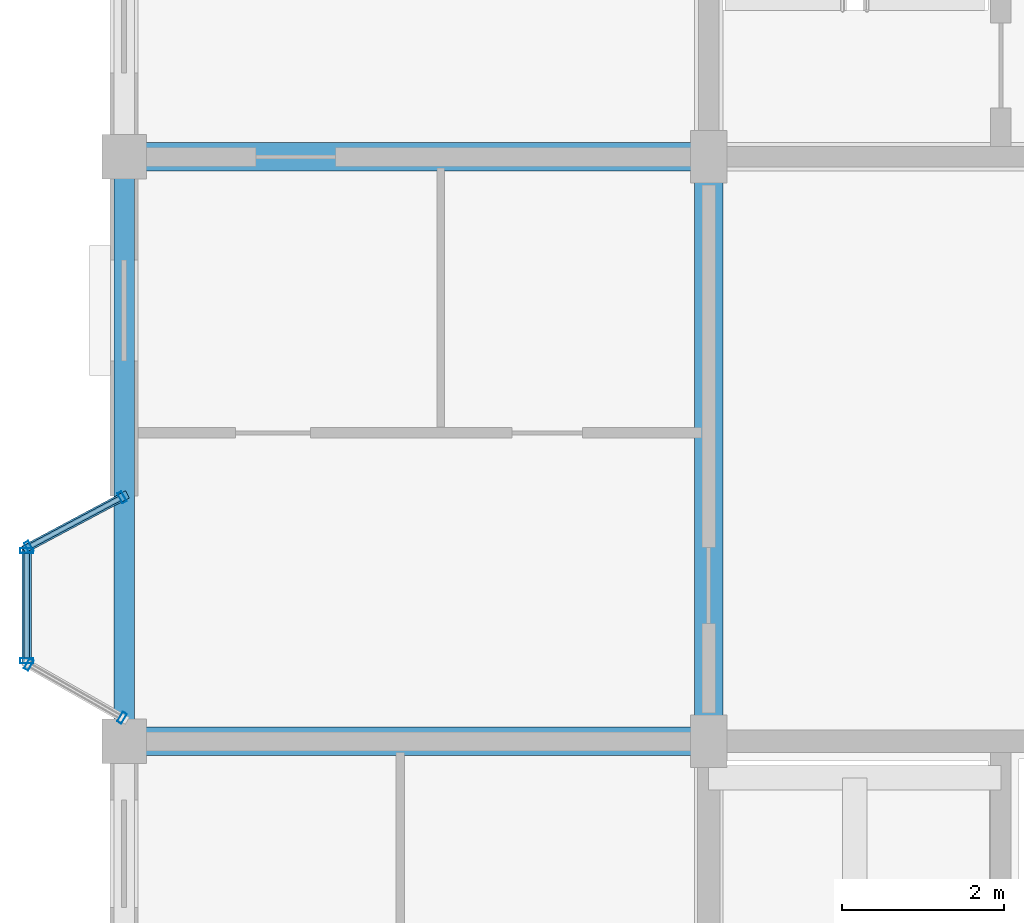
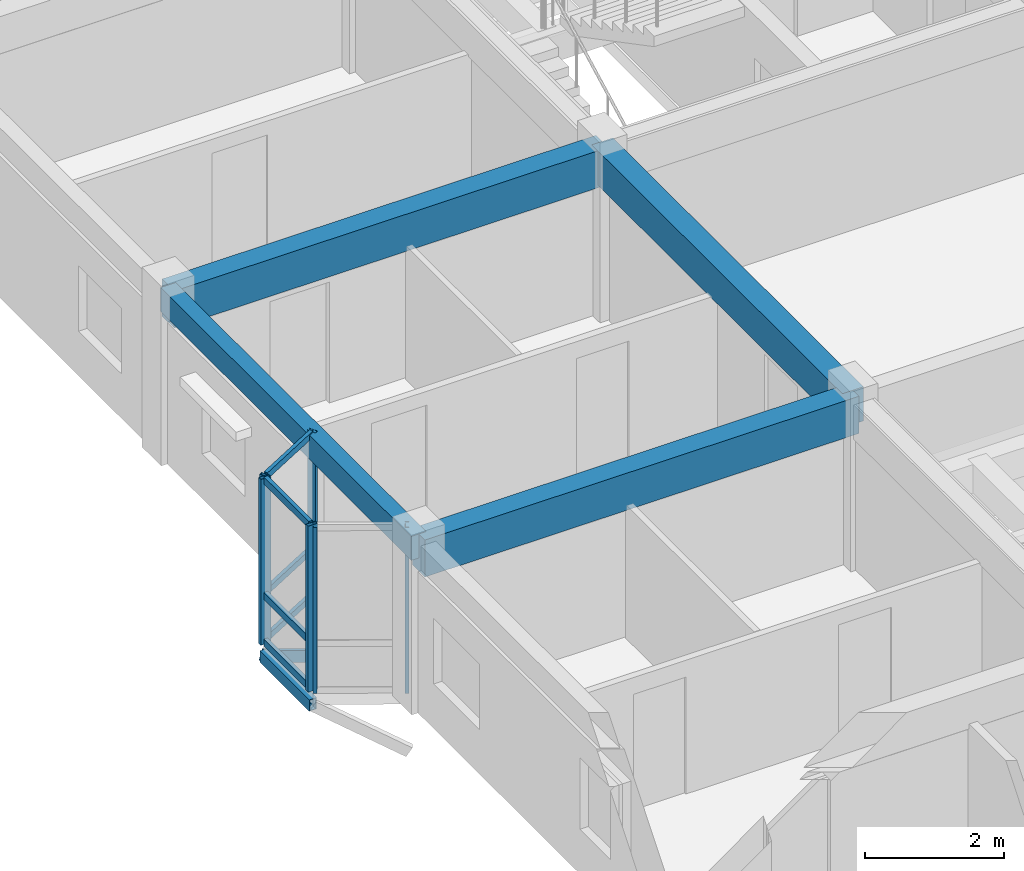
# One storey, part 17 of 77: 14 members, 4 beams, 3 elements without a shape of their own.
"""IFC4 building model written with IfcOpenShell, lengths in metres."""

from ifc_helpers import new_model, si_unit, direction, frame, origin, origin_2d, place, context, subcontext, project, spatial, rectangle, hollow_rectangle, extrude, material, layer, layer_set, material_profile, profile_set, type_object, element, aggregate, save


model = new_model("IFC4")

# Units and contexts
model_context = context("Model", 3, precision=1e-05, world=origin(), true_north=direction((0.0, 1.0)))
body_context = subcontext(model_context, "Body", "Model", "MODEL_VIEW")
ifc_project = project(units=[si_unit("LENGTHUNIT", "METRE"), si_unit("AREAUNIT", "SQUARE_METRE"), si_unit("VOLUMEUNIT", "CUBIC_METRE"), si_unit("PLANEANGLEUNIT", "RADIAN"), si_unit("MASSUNIT", "GRAM", prefix="KILO"), si_unit("THERMODYNAMICTEMPERATUREUNIT", "KELVIN"), si_unit("POWERUNIT", "WATT")], contexts=[model_context])

# Site, building, storey
site_placement = place(None, origin())
site = spatial("IfcSite", under=ifc_project, at=site_placement, CompositionType="ELEMENT")
building_placement = place(site_placement, origin())
building = spatial("IfcBuilding", under=site, at=building_placement, Name="Tavuni Mirador Residences", CompositionType="ELEMENT")
storey_placement = place(building_placement, frame((0.0, 0.0, 17.10009765625)))
storey = spatial("IfcBuildingStorey", under=building, at=storey_placement, Name="L05", CompositionType="ELEMENT", Elevation=17.10009765625)

# Beams
ifc_material_1 = material(Name="Precast concrete C40/50", Category="concrete")
ifc_material_profile_1 = material_profile(ifc_material_1, rectangle(XDim=0.35009765625, YDim=0.60009765625, at=origin_2d()), Name="PC 350x600", Category="concrete")
ifc_profile_set_1 = profile_set([ifc_material_profile_1], Name="Precast concrete C40/50")
beam_type_1 = type_object("IfcBeamType", Name="BT-B600", PredefinedType="BEAM", material=ifc_profile_set_1)
beam_1_placement = place(storey_placement, frame((10.800048828125, 79.199951171875, 2.60986328125), z_axis=(0.0, 1.0, 0.0), x_axis=(-1.0, 0.0, 0.0)))
element("IfcBeam", 1, at=beam_1_placement, inside=storey, type_object=beam_type_1, Name="BMY-BLK-B-L05-01-02", PredefinedType="BEAM", context=body_context, shape_type="SweptSolid", body=[
    extrude(rectangle(XDim=0.35009765625, YDim=0.60009765625, at=origin_2d()), origin(), (0.0, 0.0, 1.0), 7.199951171875),
])
ifc_material_profile_2 = material_profile(ifc_material_1, rectangle(XDim=0.35009765625, YDim=0.64990234375, at=origin_2d()), Name="PC 350x650", Category="concrete")
ifc_profile_set_2 = profile_set([ifc_material_profile_2], Name="Precast concrete C40/50")
beam_type_2 = type_object("IfcBeamType", Name="BT-B650", PredefinedType="BEAM", material=ifc_profile_set_2)
for number, where, z_axis, x_axis, name in (
    (2, (3.60009765625, 79.199951171875, 2.5849609375), (1.0, 0.0, 0.0), (0.0, 1.0, 0.0), "BMX-BLK-B-L05-00-02"),
    (3, (3.60009765625, 86.39990234375, 2.5849609375), (1.0, 0.0, 0.0), (0.0, 1.0, 0.0), "BMX-BLK-B-L05-00-03"),
):
    element("IfcBeam", number, at=place(storey_placement, frame(where, z_axis=z_axis, x_axis=x_axis)), inside=storey, type_object=beam_type_2, Name=name, PredefinedType="BEAM", context=body_context, shape_type="SweptSolid", body=[
        extrude(rectangle(XDim=0.35009765625, YDim=0.64990234375, at=origin_2d()), origin(), (0.0, 0.0, 1.0), 7.199951171875),
    ])
ifc_material_profile_3 = material_profile(ifc_material_1, rectangle(XDim=0.25, YDim=0.419921875, at=origin_2d()), Name="PC 250x420", Category="concrete")
ifc_profile_set_3 = profile_set([ifc_material_profile_3], Name="Precast concrete C40/50")
beam_type_3 = type_object("IfcBeamType", Name="BT-SP420", PredefinedType="SPANDREL", material=ifc_profile_set_3)
beam_2_placement = place(storey_placement, frame((3.60009765625, 79.199951171875, 2.699951171875), z_axis=(0.0, 1.0, 0.0), x_axis=(-1.0, 0.0, 0.0)))
element("IfcBeam", 4, at=beam_2_placement, inside=storey, type_object=beam_type_3, Name="BMY-BLK-B-L05-00-02", PredefinedType="SPANDREL", context=body_context, shape_type="SweptSolid", body=[
    extrude(rectangle(XDim=0.25, YDim=0.419921875, at=origin_2d()), origin(), (0.0, 0.0, 1.0), 7.199951171875),
])

# Curtain wall, members
ifc_material_2 = material(Name="Anodised aluminium", Category="aluminium")
ifc_layer_1 = layer(ifc_material_2, 0.175048828125, Name="Anodised aluminium", Category="aluminium")
ifc_layer_set_1 = layer_set([ifc_layer_1], Name="Anodised aluminium")
curtain_wall_type_1 = type_object("IfcCurtainWallType", Name="CWT-MIR-C", PredefinedType="NOTDEFINED", material=ifc_layer_set_1)
curtain_wall_1_placement = place(storey_placement, origin())
curtain_wall_1 = element("IfcCurtainWall", 5, at=curtain_wall_1_placement, inside=storey, type_object=curtain_wall_type_1, Name="CW-MIR-B-W2-L05-M1", PredefinedType="NOTDEFINED")
ifc_material_profile_4 = material_profile(ifc_material_2, hollow_rectangle(XDim=0.06005859375, YDim=0.139892578125, WallThickness=0.00390625, at=origin_2d()), Name="ALU 60x140x4.0", Category="aluminium")
ifc_profile_set_4 = profile_set([ifc_material_profile_4], Name="Anodised aluminium")
member_type_1 = type_object("IfcMemberType", Name="CWM-140", PredefinedType="MULLION", material=ifc_profile_set_4)
member_1_placement = place(storey_placement, frame((3.573486328125, 82.205810546875, 0.0), z_axis=(0.0, 0.0, 1.0), x_axis=(-0.882352941175, -0.470588235296, 0.0)))
member_1 = element("IfcMember", 6, at=member_1_placement, type_object=member_type_1, Name="CW-03 mullion 1", PredefinedType="MULLION", context=body_context, shape_type="SweptSolid", body=[
    extrude(hollow_rectangle(XDim=0.06005859375, YDim=0.139892578125, WallThickness=0.00390625, at=origin_2d()), origin(), (0.0, 0.0, 1.0), 2.909912109375),
])
member_2_placement = place(storey_placement, frame((2.426513671875, 81.59423828125, 0.0), z_axis=(0.0, 0.0, 1.0), x_axis=(-0.882352941175, -0.470588235296, 0.0)))
member_2 = element("IfcMember", 7, at=member_2_placement, type_object=member_type_1, Name="CW-03 mullion 2", PredefinedType="MULLION", context=body_context, shape_type="SweptSolid", body=[
    extrude(hollow_rectangle(XDim=0.06005859375, YDim=0.139892578125, WallThickness=0.00390625, at=origin_2d()), origin(), (0.0, 0.0, 1.0), 2.909912109375),
])

ifc_layer_2 = layer(ifc_material_2, 0.1650390625, Name="Anodised aluminium", Category="aluminium")
ifc_layer_set_2 = layer_set([ifc_layer_2], Name="Anodised aluminium")
curtain_wall_type_2 = type_object("IfcCurtainWallType", Name="CWT-MIR-A", PredefinedType="NOTDEFINED", material=ifc_layer_set_2)
curtain_wall_2_placement = place(storey_placement, origin())
curtain_wall_2 = element("IfcCurtainWall", 8, at=curtain_wall_2_placement, inside=storey, type_object=curtain_wall_type_2, Name="CW-MIR-B-W2-L05-M2", PredefinedType="NOTDEFINED")
member_3_placement = place(storey_placement, frame((2.426025390625, 80.14501953125, 0.0), z_axis=(0.0, 0.0, 1.0), x_axis=(0.868465738194, -0.495749192217, 0.0)))
member_3 = element("IfcMember", 9, at=member_3_placement, type_object=member_type_1, Name="CW-01 mullion 1", PredefinedType="MULLION", context=body_context, shape_type="SweptSolid", body=[
    extrude(hollow_rectangle(XDim=0.06005859375, YDim=0.139892578125, WallThickness=0.00390625, at=origin_2d()), origin(), (0.0, 0.0, 1.0), 2.909912109375),
])
member_4_placement = place(storey_placement, frame((3.573974609375, 79.489990234375, 0.0), z_axis=(0.0, 0.0, 1.0), x_axis=(0.868465738194, -0.495749192217, 0.0)))
member_4 = element("IfcMember", 10, at=member_4_placement, type_object=member_type_1, Name="CW-01 mullion 2", PredefinedType="MULLION", context=body_context, shape_type="SweptSolid", body=[
    extrude(hollow_rectangle(XDim=0.06005859375, YDim=0.139892578125, WallThickness=0.00390625, at=origin_2d()), origin(), (0.0, 0.0, 1.0), 2.909912109375),
])
aggregate(curtain_wall_2, [member_3, member_4])

ifc_layer_3 = layer(ifc_material_2, 0.159912109375, Name="Anodised aluminium", Category="aluminium")
ifc_layer_set_3 = layer_set([ifc_layer_3], Name="Anodised aluminium")
curtain_wall_type_3 = type_object("IfcCurtainWallType", Name="CWT-MIR-D", PredefinedType="NOTDEFINED", material=ifc_layer_set_3)
curtain_wall_3_placement = place(storey_placement, origin())
curtain_wall_3 = element("IfcCurtainWall", 11, at=curtain_wall_3_placement, inside=storey, type_object=curtain_wall_type_3, Name="CW-MIR-B-W2-L05-MF", PredefinedType="NOTDEFINED")
ifc_material_profile_5 = material_profile(ifc_material_2, hollow_rectangle(XDim=0.06494140625, YDim=0.1650390625, WallThickness=0.00439453125, at=origin_2d()), Name="ALU 65x165x4.5", Category="aluminium")
ifc_profile_set_5 = profile_set([ifc_material_profile_5], Name="Anodised aluminium")
member_type_2 = type_object("IfcMemberType", Name="CWM-165", PredefinedType="MULLION", material=ifc_profile_set_5)
member_5_placement = place(storey_placement, frame((2.39990234375, 81.547607421875, 0.0), z_axis=(0.0, 0.0, 1.0), x_axis=(0.0, -1.0, 0.0)))
member_5 = element("IfcMember", 12, at=member_5_placement, type_object=member_type_2, Name="CW-04 mullion 1", PredefinedType="MULLION", context=body_context, shape_type="SweptSolid", body=[
    extrude(hollow_rectangle(XDim=0.06494140625, YDim=0.1650390625, WallThickness=0.00439453125, at=origin_2d()), origin(), (0.0, 0.0, 1.0), 2.909912109375),
])
member_6_placement = place(storey_placement, frame((2.39990234375, 80.1923828125, 0.0), z_axis=(0.0, 0.0, 1.0), x_axis=(0.0, -1.0, 0.0)))
member_6 = element("IfcMember", 13, at=member_6_placement, type_object=member_type_2, Name="CW-04 mullion 2", PredefinedType="MULLION", context=body_context, shape_type="SweptSolid", body=[
    extrude(hollow_rectangle(XDim=0.06494140625, YDim=0.1650390625, WallThickness=0.00439453125, at=origin_2d()), origin(), (0.0, 0.0, 1.0), 2.909912109375),
])

# Member
ifc_material_profile_6 = material_profile(ifc_material_2, hollow_rectangle(XDim=0.06005859375, YDim=0.110107421875, WallThickness=0.00390625, at=origin_2d()), Name="ALU 60x110x4.0", Category="aluminium")
ifc_profile_set_6 = profile_set([ifc_material_profile_6], Name="Anodised aluminium")
member_type_3 = type_object("IfcMemberType", Name="CWT-110", PredefinedType="USERDEFINED", material=ifc_profile_set_6)
member_7_placement = place(storey_placement, frame((3.547119140625, 82.191650390625, 0.02978515625), z_axis=(-0.882385637708, -0.470526924168, 0.0), x_axis=(0.470526924168, -0.882385637708, 0.0)))
member_7 = element("IfcMember", 14, at=member_7_placement, type_object=member_type_3, Name="CW-03 transom 1.1", ObjectType="TRANSOM", PredefinedType="USERDEFINED", context=body_context, shape_type="SweptSolid", body=[
    extrude(hollow_rectangle(XDim=0.06005859375, YDim=0.110107421875, WallThickness=0.00390625, at=origin_2d()), origin(), (0.0, 0.0, 1.0), 1.239990234375),
])

member_8_placement = place(storey_placement, frame((3.547119140625, 82.191650390625, 0.849853515625), z_axis=(-0.882385637708, -0.470526924168, 0.0), x_axis=(0.470526924168, -0.882385637708, 0.0)))
member_8 = element("IfcMember", 15, at=member_8_placement, type_object=member_type_3, Name="CW-03 transom 1.2", ObjectType="TRANSOM", PredefinedType="USERDEFINED", context=body_context, shape_type="SweptSolid", body=[
    extrude(hollow_rectangle(XDim=0.06005859375, YDim=0.110107421875, WallThickness=0.00390625, at=origin_2d()), origin(), (0.0, 0.0, 1.0), 1.239990234375),
])

member_9_placement = place(storey_placement, frame((3.547119140625, 82.191650390625, 2.8798828125), z_axis=(-0.882385637708, -0.470526924168, 0.0), x_axis=(0.470526924168, -0.882385637708, 0.0)))
member_9 = element("IfcMember", 16, at=member_9_placement, type_object=member_type_3, Name="CW-03 transom 1.3", ObjectType="TRANSOM", PredefinedType="USERDEFINED", context=body_context, shape_type="SweptSolid", body=[
    extrude(hollow_rectangle(XDim=0.06005859375, YDim=0.110107421875, WallThickness=0.00390625, at=origin_2d()), origin(), (0.0, 0.0, 1.0), 1.239990234375),
])

aggregate(curtain_wall_1, [member_1, member_2, member_7, member_8, member_9])

ifc_material_profile_7 = material_profile(ifc_material_2, hollow_rectangle(XDim=0.06494140625, YDim=0.125, WallThickness=0.00439453125, at=origin_2d()), Name="ALU 65x125x4.5", Category="aluminium")
ifc_profile_set_7 = profile_set([ifc_material_profile_7], Name="Anodised aluminium")
member_type_4 = type_object("IfcMemberType", Name="CWT-125", PredefinedType="USERDEFINED", material=ifc_profile_set_7)
member_10_placement = place(storey_placement, frame((2.39990234375, 81.514892578125, 0.032470703125), z_axis=(0.0, -1.0, 0.0), x_axis=(1.0, 0.0, 0.0)))
member_10 = element("IfcMember", 17, at=member_10_placement, type_object=member_type_4, Name="CW-04 transom 1.1", ObjectType="TRANSOM", PredefinedType="USERDEFINED", context=body_context, shape_type="SweptSolid", body=[
    extrude(hollow_rectangle(XDim=0.06494140625, YDim=0.125, WallThickness=0.00439453125, at=origin_2d()), origin(), (0.0, 0.0, 1.0), 1.289794921875),
])

member_11_placement = place(storey_placement, frame((2.39990234375, 81.514892578125, 0.849853515625), z_axis=(0.0, -1.0, 0.0), x_axis=(1.0, 0.0, 0.0)))
member_11 = element("IfcMember", 18, at=member_11_placement, type_object=member_type_4, Name="CW-04 transom 1.2", ObjectType="TRANSOM", PredefinedType="USERDEFINED", context=body_context, shape_type="SweptSolid", body=[
    extrude(hollow_rectangle(XDim=0.06494140625, YDim=0.125, WallThickness=0.00439453125, at=origin_2d()), origin(), (0.0, 0.0, 1.0), 1.289794921875),
])

member_12_placement = place(storey_placement, frame((2.39990234375, 81.514892578125, 2.87744140625), z_axis=(0.0, -1.0, 0.0), x_axis=(1.0, 0.0, 0.0)))
member_12 = element("IfcMember", 19, at=member_12_placement, type_object=member_type_4, Name="CW-04 transom 1.3", ObjectType="TRANSOM", PredefinedType="USERDEFINED", context=body_context, shape_type="SweptSolid", body=[
    extrude(hollow_rectangle(XDim=0.06494140625, YDim=0.125, WallThickness=0.00439453125, at=origin_2d()), origin(), (0.0, 0.0, 1.0), 1.289794921875),
])

aggregate(curtain_wall_3, [member_5, member_6, member_10, member_11, member_12])

# Members
ifc_material_3 = material(Name="Structural steel S355", Category="steel")
ifc_material_profile_8 = material_profile(ifc_material_3, hollow_rectangle(XDim=0.10009765625, YDim=0.179931640625, WallThickness=0.008056640625, at=origin_2d()), Name="RHS 180x100x8.0", Category="steel")
ifc_profile_set_8 = profile_set([ifc_material_profile_8], Name="Structural steel S355")
member_type_5 = type_object("IfcMemberType", Name="MT-BR-RHS180", PredefinedType="BRACE", material=ifc_profile_set_8)
member_13_placement = place(storey_placement, frame((3.60009765625, 82.219970703125, -1.050048828125), z_axis=(-0.758141823808, -0.404208649349, 0.511699465296), x_axis=(0.470467115558, -0.882417527692, 0.0)))
element("IfcMember", 20, at=member_13_placement, inside=storey, type_object=member_type_5, Name="MBRK-MIR-B-W2-L05-2", PredefinedType="BRACE", context=body_context, shape_type="SweptSolid", body=[
    extrude(hollow_rectangle(XDim=0.10009765625, YDim=0.179931640625, WallThickness=0.008056640625, at=origin_2d()), origin(), (0.0, 0.0, 1.0), 1.5830078125),
])
ifc_material_profile_9 = material_profile(ifc_material_3, hollow_rectangle(XDim=0.1201171875, YDim=0.199951171875, WallThickness=0.010009765625, at=origin_2d()), Name="RHS 200x120x10.0", Category="steel")
ifc_profile_set_9 = profile_set([ifc_material_profile_9], Name="Structural steel S355")
member_type_6 = type_object("IfcMemberType", Name="MT-ST-RHS200", PredefinedType="STRUT", material=ifc_profile_set_9)
member_14_placement = place(storey_placement, frame((2.39990234375, 80.159912109375, -0.239990234375), z_axis=(0.0, 1.0, 0.0), x_axis=(-1.0, 0.0, 0.0)))
element("IfcMember", 21, at=member_14_placement, inside=storey, type_object=member_type_6, Name="MRIM-MIR-B-W2-L05", PredefinedType="STRUT", context=body_context, shape_type="SweptSolid", body=[
    extrude(hollow_rectangle(XDim=0.1201171875, YDim=0.199951171875, WallThickness=0.010009765625, at=origin_2d()), origin(), (0.0, 0.0, 1.0), 1.420166015625),
])

save(model, "model.ifc")
